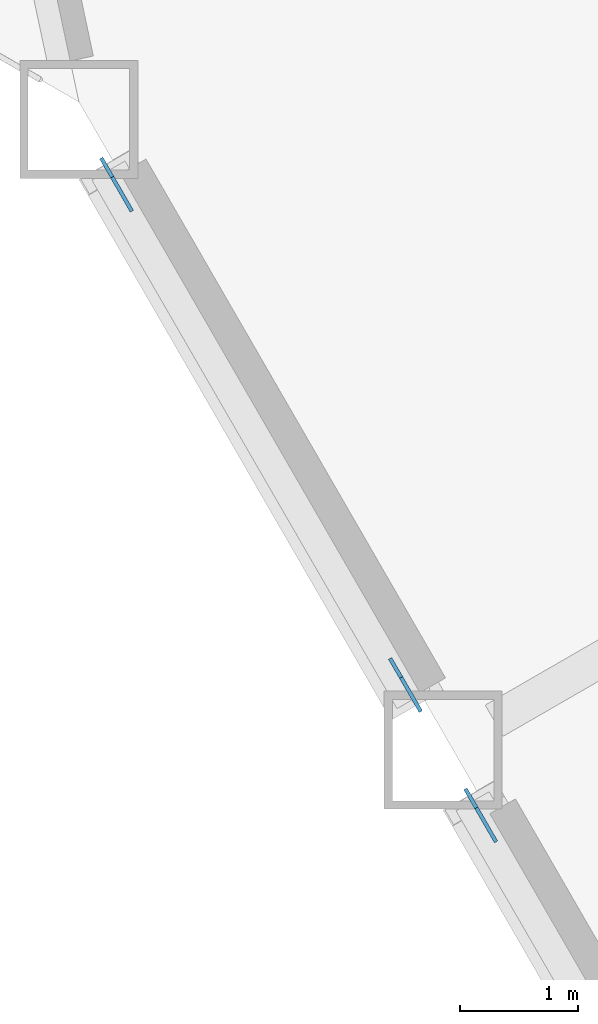
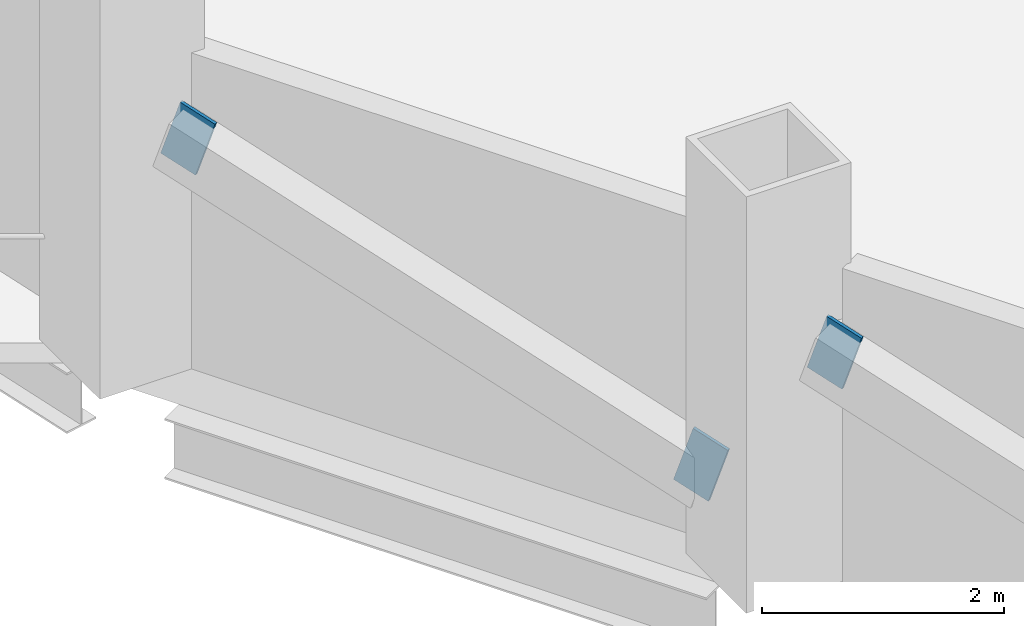
# One storey, part 14 of 21: 3 discrete accessories.
"""IFC4 building model written with IfcOpenShell, lengths in metres."""

from ifc_helpers import new_model, si_unit, direction, frame, origin, origin_2d, place, context, subcontext, project, spatial, rectangle, extrude, material, material_profile, profile_set, type_object, element, save


model = new_model("IFC4")

# Units and contexts
model_context = context("Model", 3, precision=1e-05, world=origin(), true_north=direction((0.0, 1.0)))
body_context = subcontext(model_context, "Body", "Model", "MODEL_VIEW")
ifc_project = project(units=[si_unit("LENGTHUNIT", "METRE"), si_unit("AREAUNIT", "SQUARE_METRE"), si_unit("VOLUMEUNIT", "CUBIC_METRE"), si_unit("PLANEANGLEUNIT", "RADIAN"), si_unit("MASSUNIT", "GRAM", prefix="KILO")], contexts=[model_context])

# Site, building, storey
site_placement = place(None, origin())
site = spatial("IfcSite", under=ifc_project, at=site_placement, CompositionType="ELEMENT")
building_placement = place(site_placement, origin())
building = spatial("IfcBuilding", under=site, at=building_placement, Name="Cormorant Prow Tower", CompositionType="ELEMENT")
storey_placement = place(building_placement, frame((0.0, 0.0, 80.39990234375)))
storey = spatial("IfcBuildingStorey", under=building, at=storey_placement, Name="L17", CompositionType="ELEMENT", Elevation=80.39990234375)

# Discrete accessories
ifc_material = material(Name="Structural steel ASTM A500 Gr C", Category="steel")
ifc_material_profile = material_profile(ifc_material, rectangle(XDim=0.031982421875, YDim=0.60791015625, at=origin_2d()), Name="Gusset plate 32x608")
ifc_profile_set = profile_set([ifc_material_profile], Name="Structural steel ASTM A500 Gr C")
discrete_accessory_type = type_object("IfcDiscreteAccessoryType", Name="Gusset plate 32x608", PredefinedType="BRACKET", material=ifc_profile_set)
discrete_accessory_1_placement = place(storey_placement, frame((-28.3173828125, -15.42041015625, 0.859375), z_axis=(0.476464602218, -0.823872174553, -0.306946449452), x_axis=(0.865660382551, 0.500631703033, 0.0)))
element("IfcDiscreteAccessory", 1, at=discrete_accessory_1_placement, inside=storey, type_object=discrete_accessory_type, Name="Gusset plate GP1 L17.WSW00.g0", PredefinedType="BRACKET", context=body_context, shape_type="SweptSolid", body=[
    extrude(rectangle(XDim=0.031982421875, YDim=0.60791015625, at=origin_2d()), origin(), (0.0, 0.0, 1.0), 0.349853515625),
])
discrete_accessory_2_placement = place(storey_placement, frame((-30.597900390625, -11.47021484375, 2.329833984375), z_axis=(-0.475753220995, 0.824545905009, 0.306239976564), x_axis=(-0.866161185697, -0.499764745047, 0.0)))
element("IfcDiscreteAccessory", 2, at=discrete_accessory_2_placement, inside=storey, type_object=discrete_accessory_type, Name="Gusset plate GP1 L17.WSW00.g1", PredefinedType="BRACKET", context=body_context, shape_type="SweptSolid", body=[
    extrude(rectangle(XDim=0.031982421875, YDim=0.60791015625, at=origin_2d()), origin(), (0.0, 0.0, 1.0), 0.35009765625),
])
discrete_accessory_3_placement = place(storey_placement, frame((-27.512939453125, -16.813232421875, 2.329833984375), z_axis=(-0.476566543187, 0.824048444368, 0.306314366704), x_axis=(-0.865660382551, -0.500631703033, 0.0)))
element("IfcDiscreteAccessory", 3, at=discrete_accessory_3_placement, inside=storey, type_object=discrete_accessory_type, Name="Gusset plate GP1 L17.WSW01.g1", PredefinedType="BRACKET", context=body_context, shape_type="SweptSolid", body=[
    extrude(rectangle(XDim=0.031982421875, YDim=0.60791015625, at=origin_2d()), origin(), (0.0, 0.0, 1.0), 0.349853515625),
])

save(model, "model.ifc")
